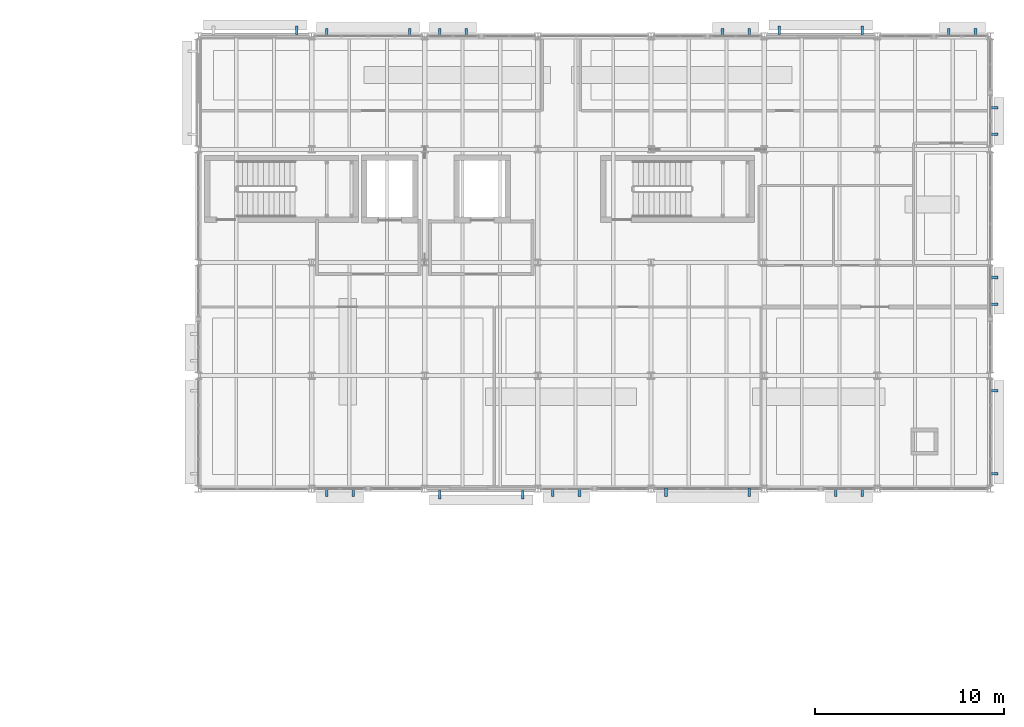
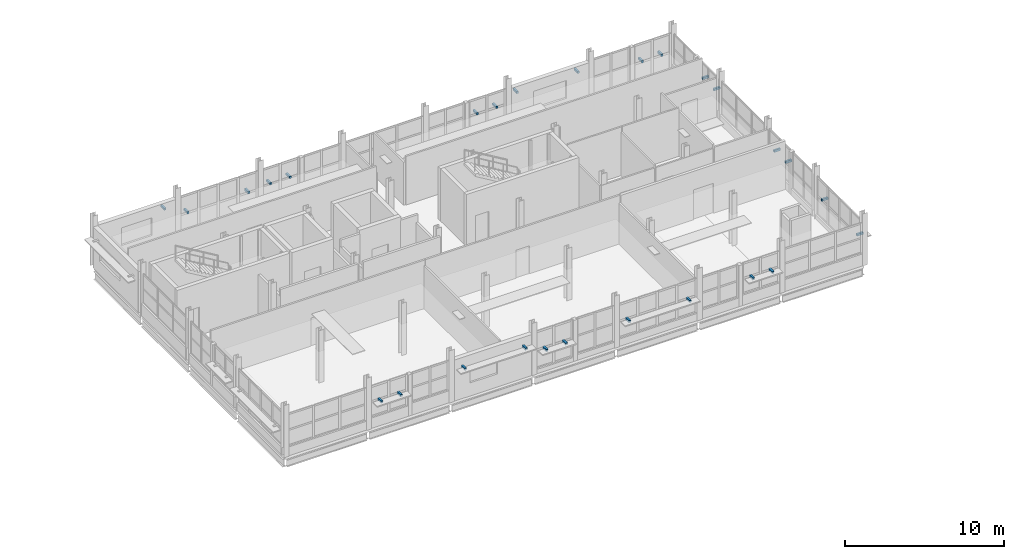
# One storey, part 84 of 92: 27 discrete accessories.
"""IFC4 building model written with IfcOpenShell, lengths in metres."""

from ifc_helpers import new_model, si_unit, direction, frame, origin, origin_2d, place, context, subcontext, project, spatial, rectangle, extrude, material, type_object, element, save


model = new_model("IFC4")

# Units and contexts
model_context = context("Model", 3, precision=1e-05, world=origin(), true_north=direction((0.0, 1.0)))
body_context = subcontext(model_context, "Body", "Model", "MODEL_VIEW")
ifc_project = project(units=[si_unit("LENGTHUNIT", "METRE"), si_unit("AREAUNIT", "SQUARE_METRE"), si_unit("VOLUMEUNIT", "CUBIC_METRE"), si_unit("PLANEANGLEUNIT", "RADIAN"), si_unit("MASSUNIT", "GRAM", prefix="KILO")], contexts=[model_context])

# Site, building, storey
site_placement = place(None, origin())
site = spatial("IfcSite", under=ifc_project, at=site_placement, CompositionType="ELEMENT")
building_placement = place(site_placement, origin())
building = spatial("IfcBuilding", under=site, at=building_placement, Name="Siltcreek Boulevard Central Fire Station", CompositionType="ELEMENT")
storey_placement = place(building_placement, frame((0.0, 0.0, 6.0)))
storey = spatial("IfcBuildingStorey", under=building, at=storey_placement, Name="L02", CompositionType="ELEMENT", Elevation=6.0)

# Discrete accessories
ifc_material = material(Name="Hot-dip galvanized steel facade outrigger bracket", Category="steel")
discrete_accessory_type = type_object("IfcDiscreteAccessoryType", Name="ACC_BRACKET", PredefinedType="BRACKET", material=ifc_material)
for number, where, z_axis, x_axis, name in (
    (1, (130.9951171875, 88.02001953125, 1.896484375), (0.0, 0.0, 1.0), (1.0, 0.0, 0.0), "Galvanized sunshade support bracket BK-169"),
    (2, (132.409912109375, 88.02001953125, 1.896484375), (0.0, 0.0, 1.0), (1.0, 0.0, 0.0), "Galvanized sunshade support bracket BK-170"),
    (3, (136.9951171875, 87.8798828125, 2.39990234375), (0.0, 0.0, 1.0), (1.0, 0.0, 0.0), "Galvanized sunshade support bracket BK-171"),
    (4, (141.405029296875, 87.8798828125, 2.39990234375), (0.0, 0.0, 1.0), (1.0, 0.0, 0.0), "Galvanized sunshade support bracket BK-172"),
    (5, (142.9951171875, 88.02001953125, 1.65673828125), (0.0, 0.0, 1.0), (1.0, 0.0, 0.0), "Galvanized sunshade support bracket BK-173"),
    (6, (144.409912109375, 88.02001953125, 1.65673828125), (0.0, 0.0, 1.0), (1.0, 0.0, 0.0), "Galvanized sunshade support bracket BK-174"),
    (7, (148.9951171875, 88.02001953125, 1.7763671875), (0.0, 0.0, 1.0), (1.0, 0.0, 0.0), "Galvanized sunshade support bracket BK-175"),
    (8, (153.405029296875, 88.02001953125, 1.7763671875), (0.0, 0.0, 1.0), (1.0, 0.0, 0.0), "Galvanized sunshade support bracket BK-176"),
    (9, (157.989990234375, 88.02001953125, 1.896484375), (0.0, 0.0, 1.0), (1.0, 0.0, 0.0), "Galvanized sunshade support bracket BK-177"),
    (10, (159.405029296875, 88.02001953125, 1.896484375), (0.0, 0.0, 1.0), (1.0, 0.0, 0.0), "Galvanized sunshade support bracket BK-178"),
    (11, (129.405029296875, 112.52001953125, 2.39990234375), (0.0, 0.0, 1.0), (-1.0, 0.0, 0.0), "Galvanized sunshade support bracket BK-179"),
    (12, (135.405029296875, 112.3798828125, 1.65673828125), (0.0, 0.0, 1.0), (-1.0, 0.0, 0.0), "Galvanized sunshade support bracket BK-181"),
    (13, (130.9951171875, 112.3798828125, 1.65673828125), (0.0, 0.0, 1.0), (-1.0, 0.0, 0.0), "Galvanized sunshade support bracket BK-182"),
    (14, (138.409912109375, 112.3798828125, 1.7763671875), (0.0, 0.0, 1.0), (-1.0, 0.0, 0.0), "Galvanized sunshade support bracket BK-183"),
    (15, (136.9951171875, 112.3798828125, 1.7763671875), (0.0, 0.0, 1.0), (-1.0, 0.0, 0.0), "Galvanized sunshade support bracket BK-184"),
    (16, (153.405029296875, 112.3798828125, 1.896484375), (0.0, 0.0, 1.0), (-1.0, 0.0, 0.0), "Galvanized sunshade support bracket BK-185"),
    (17, (151.989990234375, 112.3798828125, 1.896484375), (0.0, 0.0, 1.0), (-1.0, 0.0, 0.0), "Galvanized sunshade support bracket BK-186"),
    (18, (159.405029296875, 112.52001953125, 2.39990234375), (0.0, 0.0, 1.0), (-1.0, 0.0, 0.0), "Galvanized sunshade support bracket BK-187"),
    (19, (154.9951171875, 112.52001953125, 2.39990234375), (0.0, 0.0, 1.0), (-1.0, 0.0, 0.0), "Galvanized sunshade support bracket BK-188"),
    (20, (165.405029296875, 112.3798828125, 1.69140625), (0.0, 0.0, 1.0), (-1.0, 0.0, 0.0), "Galvanized sunshade support bracket BK-189"),
    (21, (163.989990234375, 112.3798828125, 1.69140625), (0.0, 0.0, 1.0), (-1.0, 0.0, 0.0), "Galvanized sunshade support bracket BK-190"),
    (22, (166.3798828125, 88.9951171875, 1.693359375), (0.0, 0.0, 1.0), (0.0, 1.0, 0.0), "Galvanized sunshade support bracket BK-197"),
    (23, (166.3798828125, 93.405029296875, 1.693359375), (0.0, 0.0, 1.0), (0.0, 1.0, 0.0), "Galvanized sunshade support bracket BK-198"),
    (24, (166.3798828125, 97.989990234375, 1.8134765625), (0.0, 0.0, 1.0), (0.0, 1.0, 0.0), "Galvanized sunshade support bracket BK-199"),
    (25, (166.3798828125, 99.405029296875, 1.8134765625), (0.0, 0.0, 1.0), (0.0, 1.0, 0.0), "Galvanized sunshade support bracket BK-200"),
    (26, (166.3798828125, 106.9951171875, 1.93359375), (0.0, 0.0, 1.0), (0.0, 1.0, 0.0), "Galvanized sunshade support bracket BK-201"),
    (27, (166.3798828125, 108.409912109375, 1.93359375), (0.0, 0.0, 1.0), (0.0, 1.0, 0.0), "Galvanized sunshade support bracket BK-202"),
):
    element("IfcDiscreteAccessory", number, at=place(storey_placement, frame(where, z_axis=z_axis, x_axis=x_axis)), inside=storey, type_object=discrete_accessory_type, Name=name, PredefinedType="BRACKET", context=body_context, shape_type="SweptSolid", body=[
        extrude(rectangle(XDim=0.139892578125, YDim=0.4599609375, at=origin_2d()), origin(), (0.0, 0.0, 1.0), 0.159912109375),
    ])

save(model, "model.ifc")
